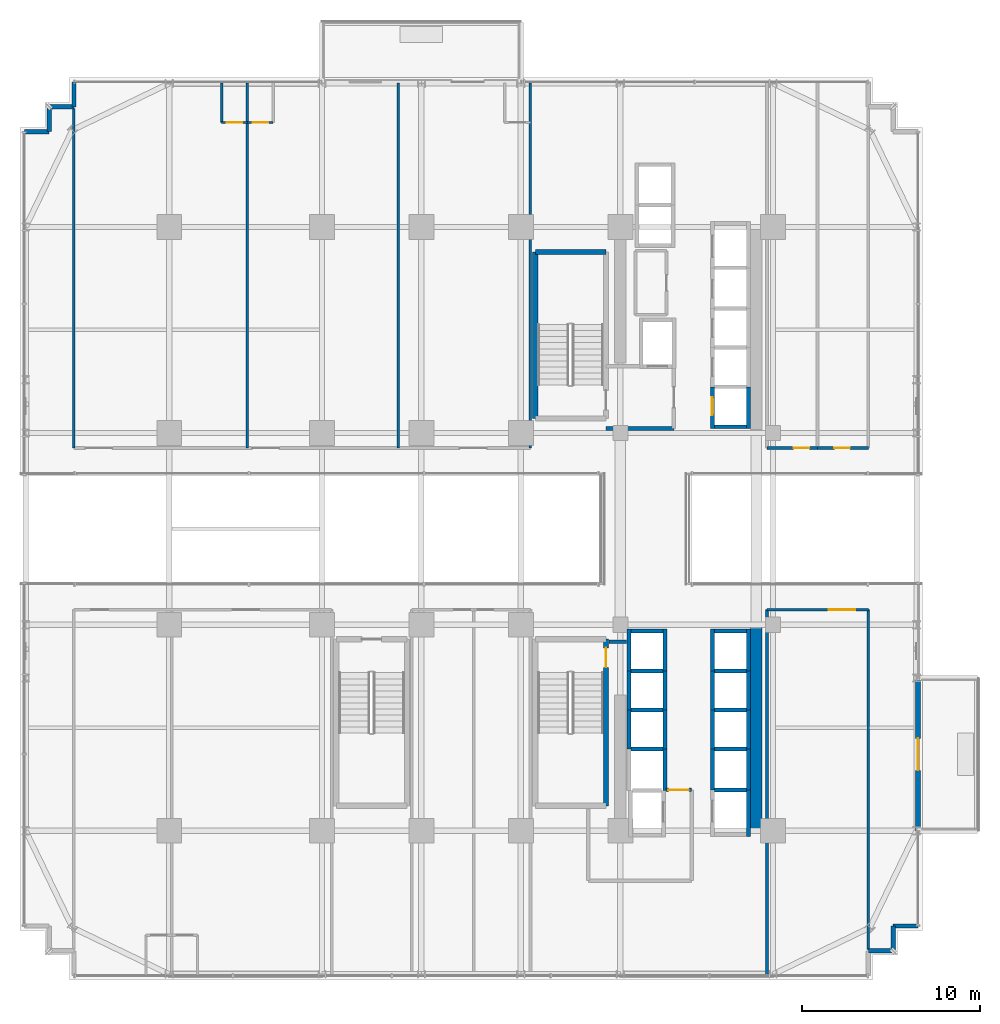
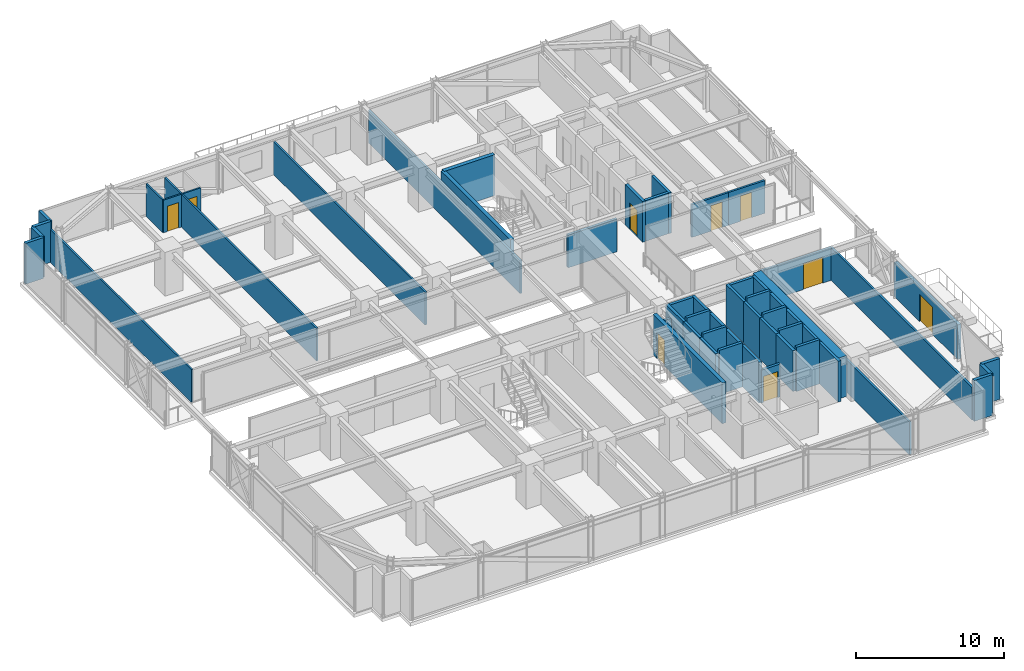
# One storey, part 41 of 47: 55 walls, 9 doors, 9 openings.
"""IFC4 building model written with IfcOpenShell, lengths in metres."""

from ifc_helpers import new_model, si_unit, direction, frame, frame_2d, origin, place, context, subcontext, project, spatial, rectangle, extrude, source, transform, mapped, material, layer, layer_set, type_object, element, fill, save


model = new_model("IFC4")

# Units and contexts
model_context = context("Model", 3, precision=1e-05, world=origin(), true_north=direction((0.0, 1.0)))
body_context = subcontext(model_context, "Body", "Model", "MODEL_VIEW")
ifc_project = project(units=[si_unit("LENGTHUNIT", "METRE"), si_unit("AREAUNIT", "SQUARE_METRE"), si_unit("VOLUMEUNIT", "CUBIC_METRE"), si_unit("PLANEANGLEUNIT", "RADIAN"), si_unit("MASSUNIT", "GRAM", prefix="KILO")], contexts=[model_context])

# Site, building, storey
site_placement = place(None, origin())
site = spatial("IfcSite", under=ifc_project, at=site_placement, CompositionType="ELEMENT")
building_placement = place(site_placement, origin())
building = spatial("IfcBuilding", under=site, at=building_placement, Name="Nahalor Promenade Grand Hotel", CompositionType="ELEMENT")
storey_placement = place(building_placement, frame((0.0, 0.0, 68.89990234375)))
storey = spatial("IfcBuildingStorey", under=building, at=storey_placement, Name="L16", CompositionType="ELEMENT", Elevation=68.89990234375)

# Walls
ifc_material_1 = material(Name="Concrete B-60 (C50/60)", Category="concrete")
ifc_layer_1 = layer(ifc_material_1, 0.64990234375)
ifc_layer_set_1 = layer_set([ifc_layer_1], Name="Concrete B-60 (C50/60)")
wall_type_1 = type_object("IfcWallType", Name="Wall-CoreShear-650", PredefinedType="SHEAR", material=ifc_layer_set_1)
shared_shape_1 = source(origin(), body_context, "Body", "SweptSolid", [
    extrude(rectangle(XDim=11.60009765625, YDim=0.64990234375, at=frame_2d((5.800048828125, 0.0))), origin(), (0.0, 0.0, 1.0), 3.3701171875),
])
wall_1_placement = place(storey_placement, frame((16.050048828125, -17.0, 0.0), z_axis=(0.0, 0.0, 1.0), x_axis=(0.0, 1.0, 0.0)))
element("IfcWall", 1, at=wall_1_placement, inside=storey, type_object=wall_type_1, Name="CWALL-L16-SE", PredefinedType="SHEAR", context=body_context, shape_type="MappedRepresentation", body=[
    mapped(shared_shape_1, transform((0.0, 0.0, 0.0), scale=1.0)),
])
ifc_material_2 = material(Name="Concrete B-50 (C40/50)", Category="concrete")
ifc_layer_2 = layer(ifc_material_2, 0.300048828125)
ifc_layer_set_2 = layer_set([ifc_layer_2], Name="Concrete B-50 (C40/50)")
wall_type_2 = type_object("IfcWallType", Name="Wall-ShaftShear-300", PredefinedType="SHEAR", material=ifc_layer_set_2)
shared_shape_2 = source(origin(), body_context, "Body", "SweptSolid", [
    extrude(rectangle(XDim=3.97998046875, YDim=0.300048828125, at=frame_2d((1.989990234375, 0.0))), origin(), (0.0, 0.0, 1.0), 3.3701171875),
])
wall_2_placement = place(storey_placement, frame((3.610107421875, 15.590087890625, 0.0), z_axis=(0.0, 0.0, 1.0), x_axis=(1.0, 0.0, 0.0)))
element("IfcWall", 2, at=wall_2_placement, inside=storey, type_object=wall_type_2, Name="L16 Exit Stair ST1 Shaft Wall N", PredefinedType="SHEAR", context=body_context, shape_type="MappedRepresentation", body=[
    mapped(shared_shape_2, transform((0.0, 0.0, 0.0), scale=1.0)),
])
shared_shape_3 = source(origin(), body_context, "Body", "SweptSolid", [
    extrude(rectangle(XDim=9.380126953125, YDim=0.300048828125, at=frame_2d((4.68994140625, 0.0))), origin(), (0.0, 0.0, 1.0), 3.3701171875),
])
wall_3_placement = place(storey_placement, frame((3.610107421875, 6.2099609375, 0.0), z_axis=(0.0, 0.0, 1.0), x_axis=(0.0, 1.0, 0.0)))
element("IfcWall", 3, at=wall_3_placement, inside=storey, type_object=wall_type_2, Name="L16 Exit Stair ST1 Shaft Wall W", PredefinedType="SHEAR", context=body_context, shape_type="MappedRepresentation", body=[
    mapped(shared_shape_3, transform((0.0, 0.0, 0.0), scale=1.0)),
])

# Wall, opening, door
wall_4_placement = place(storey_placement, frame((7.590087890625, -15.590087890625, 0.0), z_axis=(0.0, 0.0, 1.0), x_axis=(0.0, 1.0, 0.0)))
wall_4 = element("IfcWall", 4, at=wall_4_placement, inside=storey, type_object=wall_type_2, Name="L16 Exit Stair ST2 Shaft Wall E", PredefinedType="SHEAR", context=body_context, shape_type="MappedRepresentation", body=[
    mapped(shared_shape_3, transform((0.0, 0.0, 0.0), scale=1.0)),
])
opening_1_placement = place(wall_4_placement, frame((7.7900390625, 0.0, 0.0)))
opening_1 = element("IfcOpeningElement", 5, at=opening_1_placement, cuts=wall_4, Name="Opening D-ST1", PredefinedType="OPENING", context=body_context, shape_type="SweptSolid", body=[
    extrude(rectangle(XDim=1.10009765625, YDim=2.14990234375, at=frame_2d((0.550048828125, 1.074951171875))), frame((0.0, 0.159912109375, 0.0), z_axis=(0.0, -1.0, 0.0), x_axis=(1.0, 0.0, 0.0)), (0.0, 0.0, 1.0), 0.320068359375),
])
ifc_material_3 = material(Name="Steel S355JR", Category="steel")
door_type_1 = type_object("IfcDoorType", Name="Door-StairFire-1100", OperationType="NOTDEFINED", PredefinedType="DOOR", material=ifc_material_3)
shared_shape_4 = source(origin(), body_context, "Body", "SweptSolid", [
    extrude(rectangle(XDim=1.10009765625, YDim=2.14990234375, at=frame_2d((0.550048828125, 1.074951171875))), frame((0.0, 0.02490234375, 0.0), z_axis=(0.0, -1.0, 0.0), x_axis=(1.0, 0.0, 0.0)), (0.0, 0.0, 1.0), 0.050048828125),
])
door_1_placement = place(opening_1_placement, origin())
door_1 = element("IfcDoor", 6, at=door_1_placement, inside=storey, type_object=door_type_1, Name="DR-STAIR-ST2-L16", OperationType="SINGLE_SWING_LEFT", OverallHeight=2.14990234375, OverallWidth=1.10009765625, PredefinedType="DOOR", context=body_context, shape_type="MappedRepresentation", body=[
    mapped(shared_shape_4, transform((0.0, 0.0, 0.0), scale=1.0)),
])
fill(opening_1, door_1)

ifc_layer_3 = layer(ifc_material_2, 0.219970703125)
ifc_layer_set_3 = layer_set([ifc_layer_3], Name="Concrete B-50 (C40/50)")
wall_type_3 = type_object("IfcWallType", Name="Wall-LiftShaft-220", PredefinedType="SHEAR", material=ifc_layer_set_3)
shared_shape_5 = source(origin(), body_context, "Body", "SweptSolid", [
    extrude(rectangle(XDim=2.360107421875, YDim=0.219970703125, at=frame_2d((1.18017578125, 0.0))), origin(), (0.0, 0.0, 1.0), 3.3701171875),
])
wall_5_placement = place(storey_placement, frame((13.580078125, 5.639892578125, 0.0), z_axis=(0.0, 0.0, 1.0), x_axis=(0.0, 1.0, 0.0)))
wall_5 = element("IfcWall", 7, at=wall_5_placement, inside=storey, type_object=wall_type_3, Name="L16 Lift PL1 Hoistway Wall W", PredefinedType="SHEAR", context=body_context, shape_type="MappedRepresentation", body=[
    mapped(shared_shape_5, transform((0.0, 0.0, 0.0), scale=1.0)),
])
opening_2_placement = place(wall_5_placement, frame((0.760009765625, 0.0, 0.0)))
opening_2 = element("IfcOpeningElement", 8, at=opening_2_placement, cuts=wall_5, Name="Opening LD-01", PredefinedType="OPENING", context=body_context, shape_type="SweptSolid", body=[
    extrude(rectangle(XDim=1.0, YDim=2.199951171875, at=frame_2d((0.5, 1.10009765625))), frame((0.0, 0.119873046875, 0.0), z_axis=(0.0, -1.0, 0.0), x_axis=(1.0, 0.0, 0.0)), (0.0, 0.0, 1.0), 0.239990234375),
])
door_type_2 = type_object("IfcDoorType", Name="Door-LiftLanding-1000", OperationType="DOUBLE_DOOR_SLIDING", PredefinedType="DOOR", material=ifc_material_3)
shared_shape_6 = source(origin(), body_context, "Body", "SweptSolid", [
    extrude(rectangle(XDim=1.0, YDim=2.199951171875, at=frame_2d((0.5, 1.10009765625))), frame((0.0, 0.02490234375, 0.0), z_axis=(0.0, -1.0, 0.0), x_axis=(1.0, 0.0, 0.0)), (0.0, 0.0, 1.0), 0.050048828125),
])
door_2_placement = place(opening_2_placement, origin())
door_2 = element("IfcDoor", 9, at=door_2_placement, inside=storey, type_object=door_type_2, Name="DR-LIFT-PL1-L16", OperationType="DOUBLE_DOOR_SLIDING", OverallHeight=2.199951171875, OverallWidth=1.0, PredefinedType="DOOR", context=body_context, shape_type="MappedRepresentation", body=[
    mapped(shared_shape_6, transform((0.0, 0.0, 0.0), scale=1.0)),
])
fill(opening_2, door_2)

# Walls
for number, where, z_axis, x_axis, name in (
    (10, (15.6201171875, 5.639892578125, 0.0), (0.0, 0.0, 1.0), (0.0, 1.0, 0.0), "L16 Lift PL1 Hoistway Wall E"),
    (11, (13.580078125, -8.0, 0.0), (0.0, 0.0, 1.0), (0.0, 1.0, 0.0), "L16 Lift PL5 Hoistway Wall W"),
    (12, (15.6201171875, -8.0, 0.0), (0.0, 0.0, 1.0), (0.0, 1.0, 0.0), "L16 Lift PL5 Hoistway Wall E"),
    (13, (8.8798828125, -8.0, 0.0), (0.0, 0.0, 1.0), (0.0, 1.0, 0.0), "L16 Lift PL9 Hoistway Wall W"),
    (14, (10.919921875, -8.0, 0.0), (0.0, 0.0, 1.0), (0.0, 1.0, 0.0), "L16 Lift PL9 Hoistway Wall E"),
):
    element("IfcWall", number, at=place(storey_placement, frame(where, z_axis=z_axis, x_axis=x_axis)), inside=storey, type_object=wall_type_3, Name=name, PredefinedType="SHEAR", context=body_context, shape_type="MappedRepresentation", body=[
        mapped(shared_shape_5, transform((0.0, 0.0, 0.0), scale=1.0)),
    ])
shared_shape_7 = source(origin(), body_context, "Body", "SweptSolid", [
    extrude(rectangle(XDim=1.820068359375, YDim=0.219970703125, at=frame_2d((0.91015625, 0.0))), origin(), (0.0, 0.0, 1.0), 3.3701171875),
])
for number, where, z_axis, x_axis, name in (
    (15, (13.68994140625, 5.75, 0.0), (0.0, 0.0, 1.0), (1.0, 0.0, 0.0), "L16 Lift PL1 Hoistway Wall S"),
    (16, (13.68994140625, -5.75, 0.0), (0.0, 0.0, 1.0), (1.0, 0.0, 0.0), "L16 Lift PL5 Hoistway Wall N"),
    (17, (8.989990234375, -5.75, 0.0), (0.0, 0.0, 1.0), (1.0, 0.0, 0.0), "L16 Lift PL9 Hoistway Wall N"),
):
    element("IfcWall", number, at=place(storey_placement, frame(where, z_axis=z_axis, x_axis=x_axis)), inside=storey, type_object=wall_type_3, Name=name, PredefinedType="SHEAR", context=body_context, shape_type="MappedRepresentation", body=[
        mapped(shared_shape_7, transform((0.0, 0.0, 0.0), scale=1.0)),
    ])
shared_shape_8 = source(origin(), body_context, "Body", "SweptSolid", [
    extrude(rectangle(XDim=1.820068359375, YDim=0.219970703125, at=frame_2d((0.91015625, 0.0))), origin(), (0.0, 0.0, 1.0), 3.650146484375),
])
for number, where, z_axis, x_axis, name in (
    (18, (13.68994140625, -8.0, 0.0), (0.0, 0.0, 1.0), (1.0, 0.0, 0.0), "L16 Lift PL6 Hoistway Wall N"),
    (19, (13.68994140625, -10.199951171875, 0.0), (0.0, 0.0, 1.0), (1.0, 0.0, 0.0), "L16 Lift PL7 Hoistway Wall N"),
    (20, (13.68994140625, -12.39990234375, 0.0), (0.0, 0.0, 1.0), (1.0, 0.0, 0.0), "L16 Lift PL8 Hoistway Wall N"),
    (21, (8.989990234375, -8.0, 0.0), (0.0, 0.0, 1.0), (1.0, 0.0, 0.0), "L16 Lift PL10 Hoistway Wall N"),
    (22, (8.989990234375, -10.199951171875, 0.0), (0.0, 0.0, 1.0), (1.0, 0.0, 0.0), "L16 Lift PL11 Hoistway Wall N"),
    (23, (8.989990234375, -12.39990234375, 0.0), (0.0, 0.0, 1.0), (1.0, 0.0, 0.0), "L16 Lift PL12 Hoistway Wall N"),
    (24, (13.68994140625, -14.699951171875, 0.0), (0.0, 0.0, 1.0), (1.0, 0.0, 0.0), "L16 Lift SV2 Hoistway Wall N"),
):
    element("IfcWall", number, at=place(storey_placement, frame(where, z_axis=z_axis, x_axis=x_axis)), inside=storey, type_object=wall_type_3, Name=name, PredefinedType="SHEAR", context=body_context, shape_type="MappedRepresentation", body=[
        mapped(shared_shape_8, transform((0.0, 0.0, 0.0), scale=1.0)),
    ])
shared_shape_9 = source(origin(), body_context, "Body", "SweptSolid", [
    extrude(rectangle(XDim=2.199951171875, YDim=0.219970703125, at=frame_2d((1.10009765625, 0.0))), origin(), (0.0, 0.0, 1.0), 3.3701171875),
])
for number, where, z_axis, x_axis, name in (
    (25, (13.580078125, -10.199951171875, 0.0), (0.0, 0.0, 1.0), (0.0, 1.0, 0.0), "L16 Lift PL6 Hoistway Wall W"),
    (26, (15.6201171875, -10.199951171875, 0.0), (0.0, 0.0, 1.0), (0.0, 1.0, 0.0), "L16 Lift PL6 Hoistway Wall E"),
    (27, (13.580078125, -12.39990234375, 0.0), (0.0, 0.0, 1.0), (0.0, 1.0, 0.0), "L16 Lift PL7 Hoistway Wall W"),
    (28, (15.6201171875, -12.39990234375, 0.0), (0.0, 0.0, 1.0), (0.0, 1.0, 0.0), "L16 Lift PL7 Hoistway Wall E"),
    (29, (8.8798828125, -10.199951171875, 0.0), (0.0, 0.0, 1.0), (0.0, 1.0, 0.0), "L16 Lift PL10 Hoistway Wall W"),
    (30, (10.919921875, -10.199951171875, 0.0), (0.0, 0.0, 1.0), (0.0, 1.0, 0.0), "L16 Lift PL10 Hoistway Wall E"),
    (31, (8.8798828125, -12.39990234375, 0.0), (0.0, 0.0, 1.0), (0.0, 1.0, 0.0), "L16 Lift PL11 Hoistway Wall W"),
    (32, (10.919921875, -12.39990234375, 0.0), (0.0, 0.0, 1.0), (0.0, 1.0, 0.0), "L16 Lift PL11 Hoistway Wall E"),
):
    element("IfcWall", number, at=place(storey_placement, frame(where, z_axis=z_axis, x_axis=x_axis)), inside=storey, type_object=wall_type_3, Name=name, PredefinedType="SHEAR", context=body_context, shape_type="MappedRepresentation", body=[
        mapped(shared_shape_9, transform((0.0, 0.0, 0.0), scale=1.0)),
    ])
shared_shape_10 = source(origin(), body_context, "Body", "SweptSolid", [
    extrude(rectangle(XDim=2.300048828125, YDim=0.219970703125, at=frame_2d((1.14990234375, 0.0))), origin(), (0.0, 0.0, 1.0), 3.3701171875),
])
for number, where, z_axis, x_axis, name in (
    (33, (13.580078125, -14.699951171875, 0.0), (0.0, 0.0, 1.0), (0.0, 1.0, 0.0), "L16 Lift PL8 Hoistway Wall W"),
    (34, (15.6201171875, -14.699951171875, 0.0), (0.0, 0.0, 1.0), (0.0, 1.0, 0.0), "L16 Lift PL8 Hoistway Wall E"),
):
    element("IfcWall", number, at=place(storey_placement, frame(where, z_axis=z_axis, x_axis=x_axis)), inside=storey, type_object=wall_type_3, Name=name, PredefinedType="SHEAR", context=body_context, shape_type="MappedRepresentation", body=[
        mapped(shared_shape_10, transform((0.0, 0.0, 0.0), scale=1.0)),
    ])
shared_shape_11 = source(origin(), body_context, "Body", "SweptSolid", [
    extrude(rectangle(XDim=2.3251953125, YDim=0.219970703125, at=frame_2d((1.16259765625, 0.0))), origin(), (0.0, 0.0, 1.0), 3.3701171875),
])
wall_6_placement = place(storey_placement, frame((10.919921875, -14.72509765625, 0.0), z_axis=(0.0, 0.0, 1.0), x_axis=(0.0, 1.0, 0.0)))
element("IfcWall", 35, at=wall_6_placement, inside=storey, type_object=wall_type_3, Name="L16 Lift PL12 Hoistway Wall E", PredefinedType="SHEAR", context=body_context, shape_type="MappedRepresentation", body=[
    mapped(shared_shape_11, transform((0.0, 0.0, 0.0), scale=1.0)),
])
shared_shape_12 = source(origin(), body_context, "Body", "SweptSolid", [
    extrude(rectangle(XDim=2.610107421875, YDim=0.219970703125, at=frame_2d((1.30517578125, 0.0))), origin(), (0.0, 0.0, 1.0), 3.3701171875),
])
wall_7_placement = place(storey_placement, frame((15.6201171875, -17.31005859375, 0.0), z_axis=(0.0, 0.0, 1.0), x_axis=(0.0, 1.0, 0.0)))
element("IfcWall", 36, at=wall_7_placement, inside=storey, type_object=wall_type_3, Name="L16 Lift SV2 Hoistway Wall E", PredefinedType="SHEAR", context=body_context, shape_type="MappedRepresentation", body=[
    mapped(shared_shape_12, transform((0.0, 0.0, 0.0), scale=1.0)),
])
ifc_material_4 = material(Name="Concrete B-40 (C32/40)", Category="concrete")
ifc_layer_4 = layer(ifc_material_4, 0.25)
ifc_layer_set_4 = layer_set([ifc_layer_4], Name="Concrete B-40 (C32/40)")
wall_type_4 = type_object("IfcWallType", Name="Wall-BronzePier-250", PredefinedType="STANDARD", material=ifc_layer_set_4)
shared_shape_13 = source(origin(), body_context, "Body", "SweptSolid", [
    extrude(rectangle(XDim=1.39990234375, YDim=0.25, at=frame_2d((0.699951171875, 0.0))), origin(), (0.0, 0.0, 1.0), 3.3701171875),
])
for number, where, z_axis, x_axis, name in (
    (37, (22.360107421875, -23.760009765625, 0.0), (0.0, 0.0, 1.0), (1.0, 0.0, 0.0), "W-L16-SR-02"),
    (38, (23.760009765625, -23.760009765625, 0.0), (0.0, 0.0, 1.0), (0.0, 1.0, 0.0), "W-L16-SR-03"),
    (39, (23.760009765625, -22.360107421875, 0.0), (0.0, 0.0, 1.0), (1.0, 0.0, 0.0), "W-L16-SR-04"),
    (40, (-22.360107421875, 23.760009765625, 0.0), (0.0, 0.0, 1.0), (0.0, 1.0, 0.0), "W-L16-SR-09"),
    (41, (-23.760009765625, 23.760009765625, 0.0), (0.0, 0.0, 1.0), (1.0, 0.0, 0.0), "W-L16-SR-10"),
    (42, (-23.760009765625, 22.360107421875, 0.0), (0.0, 0.0, 1.0), (0.0, 1.0, 0.0), "W-L16-SR-11"),
    (43, (-25.159912109375, 22.360107421875, 0.0), (0.0, 0.0, 1.0), (1.0, 0.0, 0.0), "W-L16-SR-12"),
):
    element("IfcWall", number, at=place(storey_placement, frame(where, z_axis=z_axis, x_axis=x_axis)), inside=storey, type_object=wall_type_4, Name=name, PredefinedType="STANDARD", context=body_context, shape_type="MappedRepresentation", body=[
        mapped(shared_shape_13, transform((0.0, 0.0, 0.0), scale=1.0)),
    ])

# Wall, opening, door
ifc_layer_5 = layer(ifc_material_4, 0.260009765625)
ifc_layer_set_5 = layer_set([ifc_layer_5], Name="Concrete B-40 (C32/40)")
wall_type_5 = type_object("IfcWallType", Name="Wall-BalconyWall-260", PredefinedType="STANDARD", material=ifc_layer_set_5)
shared_shape_14 = source(origin(), body_context, "Body", "SweptSolid", [
    extrude(rectangle(XDim=8.60009765625, YDim=0.260009765625, at=frame_2d((4.300048828125, 0.0))), origin(), (0.0, 0.0, 1.0), 2.85009765625),
])
wall_8_placement = place(storey_placement, frame((25.159912109375, -17.0, 0.0), z_axis=(0.0, 0.0, 1.0), x_axis=(0.0, 1.0, 0.0)))
wall_8 = element("IfcWall", 44, at=wall_8_placement, inside=storey, type_object=wall_type_5, Name="W-L16-BALC-E-2", PredefinedType="STANDARD", context=body_context, shape_type="MappedRepresentation", body=[
    mapped(shared_shape_14, transform((0.0, 0.0, 0.0), scale=1.0)),
])
opening_3_placement = place(wall_8_placement, frame((3.39990234375, 0.0, 0.0)))
opening_3 = element("IfcOpeningElement", 45, at=opening_3_placement, cuts=wall_8, Name="Opening D-BC1", PredefinedType="OPENING", context=body_context, shape_type="SweptSolid", body=[
    extrude(rectangle(XDim=1.800048828125, YDim=2.25, at=frame_2d((0.89990234375, 1.125))), frame((0.0, 0.139892578125, 0.0), z_axis=(0.0, -1.0, 0.0), x_axis=(1.0, 0.0, 0.0)), (0.0, 0.0, 1.0), 0.280029296875),
])
ifc_material_5 = material(Name="Anodised Bronze Aluminium EN AW-6063 T6", Category="aluminium")
door_type_3 = type_object("IfcDoorType", Name="Door-BalconySlide-1800", OperationType="DOUBLE_DOOR_SLIDING", PredefinedType="DOOR", material=ifc_material_5)
shared_shape_15 = source(origin(), body_context, "Body", "SweptSolid", [
    extrude(rectangle(XDim=1.800048828125, YDim=2.25, at=frame_2d((0.89990234375, 1.125))), frame((0.0, 0.02490234375, 0.0), z_axis=(0.0, -1.0, 0.0), x_axis=(1.0, 0.0, 0.0)), (0.0, 0.0, 1.0), 0.050048828125),
])
door_3_placement = place(opening_3_placement, frame((1.800048828125, 0.0, 0.0), z_axis=(0.0, 0.0, 1.0), x_axis=(-1.0, 0.0, 0.0)))
door_3 = element("IfcDoor", 46, at=door_3_placement, inside=storey, type_object=door_type_3, Name="DR-L16-BALC-E-2", OperationType="DOUBLE_DOOR_SLIDING", OverallHeight=2.25, OverallWidth=1.800048828125, PredefinedType="DOOR", context=body_context, shape_type="MappedRepresentation", body=[
    mapped(shared_shape_15, transform((0.0, 0.0, 0.0), scale=1.0)),
])
fill(opening_3, door_3)

# Wall
ifc_layer_6 = layer(ifc_material_4, 0.199951171875)
ifc_layer_set_6 = layer_set([ifc_layer_6], Name="Concrete B-40 (C32/40)")
wall_type_6 = type_object("IfcWallType", Name="Wall-PartFire-200", PredefinedType="PARTITIONING", material=ifc_layer_set_6)
shared_shape_16 = source(origin(), body_context, "Body", "SweptSolid", [
    extrude(rectangle(XDim=3.81982421875, YDim=0.199951171875, at=frame_2d((1.909912109375, 0.0))), origin(), (0.0, 0.0, 1.0), 2.710205078125),
])
wall_9_placement = place(storey_placement, frame((7.60009765625, 5.64990234375, 0.0), z_axis=(0.0, 0.0, 1.0), x_axis=(1.0, 0.0, 0.0)))
element("IfcWall", 47, at=wall_9_placement, inside=storey, type_object=wall_type_6, Name="W-L16-FF1-S", PredefinedType="PARTITIONING", context=body_context, shape_type="MappedRepresentation", body=[
    mapped(shared_shape_16, transform((0.0, 0.0, 0.0), scale=1.0)),
])

# Wall, opening, door
shared_shape_17 = source(origin(), body_context, "Body", "SweptSolid", [
    extrude(rectangle(XDim=1.4599609375, YDim=0.199951171875, at=frame_2d((0.72998046875, 0.0))), origin(), (0.0, 0.0, 1.0), 2.710205078125),
])
wall_10_placement = place(storey_placement, frame((10.9599609375, -14.699951171875, 0.0), z_axis=(0.0, 0.0, 1.0), x_axis=(1.0, 0.0, 0.0)))
wall_10 = element("IfcWall", 48, at=wall_10_placement, inside=storey, type_object=wall_type_6, Name="W-L16-FF2-N1", PredefinedType="PARTITIONING", context=body_context, shape_type="MappedRepresentation", body=[
    mapped(shared_shape_17, transform((0.0, 0.0, 0.0), scale=1.0)),
])
opening_4_placement = place(wall_10_placement, frame((0.14501953125, 0.0, 0.0)))
opening_4 = element("IfcOpeningElement", 49, at=opening_4_placement, cuts=wall_10, Name="Opening D-FF1", PredefinedType="OPENING", context=body_context, shape_type="SweptSolid", body=[
    extrude(rectangle(XDim=1.14990234375, YDim=2.14990234375, at=frame_2d((0.574951171875, 1.074951171875))), frame((0.0, 0.10986328125, 0.0), z_axis=(0.0, -1.0, 0.0), x_axis=(1.0, 0.0, 0.0)), (0.0, 0.0, 1.0), 0.219970703125),
])
door_type_4 = type_object("IfcDoorType", Name="Door-FFLobby-1150", OperationType="NOTDEFINED", PredefinedType="DOOR", material=ifc_material_3)
shared_shape_18 = source(origin(), body_context, "Body", "SweptSolid", [
    extrude(rectangle(XDim=1.14990234375, YDim=2.14990234375, at=frame_2d((0.574951171875, 1.074951171875))), frame((0.0, 0.02490234375, 0.0), z_axis=(0.0, -1.0, 0.0), x_axis=(1.0, 0.0, 0.0)), (0.0, 0.0, 1.0), 0.050048828125),
])
door_4_placement = place(opening_4_placement, origin())
door_4 = element("IfcDoor", 50, at=door_4_placement, inside=storey, type_object=door_type_4, Name="DR-L16-FFL2", OperationType="SINGLE_SWING_RIGHT", OverallHeight=2.14990234375, OverallWidth=1.14990234375, PredefinedType="DOOR", context=body_context, shape_type="MappedRepresentation", body=[
    mapped(shared_shape_18, transform((0.0, 0.0, 0.0), scale=1.0)),
])
fill(opening_4, door_4)

# Wall
shared_shape_19 = source(origin(), body_context, "Body", "SweptSolid", [
    extrude(rectangle(XDim=0.969970703125, YDim=0.199951171875, at=frame_2d((0.48486328125, 0.0))), origin(), (0.0, 0.0, 1.0), 2.710205078125),
])
wall_11_placement = place(storey_placement, frame((7.77001953125, -6.35009765625, 0.0), z_axis=(0.0, 0.0, 1.0), x_axis=(1.0, 0.0, 0.0)))
element("IfcWall", 51, at=wall_11_placement, inside=storey, type_object=wall_type_6, Name="W-L16-FF2-N2", PredefinedType="PARTITIONING", context=body_context, shape_type="MappedRepresentation", body=[
    mapped(shared_shape_19, transform((0.0, 0.0, 0.0), scale=1.0)),
])

# Wall, opening, door
ifc_material_6 = material(Name="Acoustic Mineral Gypsum", Category="gypsum")
ifc_layer_7 = layer(ifc_material_6, 0.159912109375)
ifc_layer_set_7 = layer_set([ifc_layer_7], Name="Acoustic Mineral Gypsum")
wall_type_7 = type_object("IfcWallType", Name="Wall-PartCorridor-160", PredefinedType="PARTITIONING", material=ifc_layer_set_7)
shared_shape_20 = source(origin(), body_context, "Body", "SweptSolid", [
    extrude(rectangle(XDim=5.710205078125, YDim=0.159912109375, at=frame_2d((2.85498046875, 0.0))), origin(), (0.0, 0.0, 1.0), 2.710205078125),
])
wall_12_placement = place(storey_placement, frame((16.64990234375, -4.550048828125, 0.0), z_axis=(0.0, 0.0, 1.0), x_axis=(1.0, 0.0, 0.0)))
wall_12 = element("IfcWall", 52, at=wall_12_placement, inside=storey, type_object=wall_type_7, Name="W-L16-ESE-N", PredefinedType="PARTITIONING", context=body_context, shape_type="MappedRepresentation", body=[
    mapped(shared_shape_20, transform((0.0, 0.0, 0.0), scale=1.0)),
])
opening_5_placement = place(wall_12_placement, frame((3.47900390625, 0.0, 0.0)))
opening_5 = element("IfcOpeningElement", 53, at=opening_5_placement, cuts=wall_12, Name="Opening D-02", PredefinedType="OPENING", context=body_context, shape_type="SweptSolid", body=[
    extrude(rectangle(XDim=1.5, YDim=2.14990234375, at=frame_2d((0.75, 1.074951171875))), frame((0.0, 0.08984375, 0.0), z_axis=(0.0, -1.0, 0.0), x_axis=(1.0, 0.0, 0.0)), (0.0, 0.0, 1.0), 0.179931640625),
])
ifc_material_7 = material(Name="Fire-Rated Timber Composite", Category="wood")
door_type_5 = type_object("IfcDoorType", Name="Door-SuiteDouble-1500", OperationType="DOUBLE_DOOR_SINGLE_SWING", PredefinedType="DOOR", material=ifc_material_7)
shared_shape_21 = source(origin(), body_context, "Body", "SweptSolid", [
    extrude(rectangle(XDim=1.5, YDim=2.14990234375, at=frame_2d((0.75, 1.074951171875))), frame((0.0, 0.02490234375, 0.0), z_axis=(0.0, -1.0, 0.0), x_axis=(1.0, 0.0, 0.0)), (0.0, 0.0, 1.0), 0.050048828125),
])
door_5_placement = place(opening_5_placement, frame((1.5, 0.0, 0.0), z_axis=(0.0, 0.0, 1.0), x_axis=(-1.0, 0.0, 0.0)))
door_5 = element("IfcDoor", 54, at=door_5_placement, inside=storey, type_object=door_type_5, Name="DR-L16-ESE", OperationType="DOUBLE_DOOR_SINGLE_SWING", OverallHeight=2.14990234375, OverallWidth=1.5, PredefinedType="DOOR", context=body_context, shape_type="MappedRepresentation", body=[
    mapped(shared_shape_21, transform((0.0, 0.0, 0.0), scale=1.0)),
])
fill(opening_5, door_5)

# Walls
shared_shape_22 = source(origin(), body_context, "Body", "SweptSolid", [
    extrude(rectangle(XDim=20.550048828125, YDim=0.159912109375, at=frame_2d((10.27490234375, 0.0))), origin(), (0.0, 0.0, 1.0), 2.710205078125),
])
wall_13_placement = place(storey_placement, frame((16.64990234375, -25.10009765625, 0.0), z_axis=(0.0, 0.0, 1.0), x_axis=(0.0, 1.0, 0.0)))
element("IfcWall", 55, at=wall_13_placement, inside=storey, type_object=wall_type_7, Name="W-L16-ESE-W", PredefinedType="PARTITIONING", context=body_context, shape_type="MappedRepresentation", body=[
    mapped(shared_shape_22, transform((0.0, 0.0, 0.0), scale=1.0)),
])
shared_shape_23 = source(origin(), body_context, "Body", "SweptSolid", [
    extrude(rectangle(XDim=19.1298828125, YDim=0.159912109375, at=frame_2d((9.56494140625, 0.0))), origin(), (0.0, 0.0, 1.0), 2.710205078125),
])
wall_14_placement = place(storey_placement, frame((22.360107421875, -23.679931640625, 0.0), z_axis=(0.0, 0.0, 1.0), x_axis=(0.0, 1.0, 0.0)))
element("IfcWall", 56, at=wall_14_placement, inside=storey, type_object=wall_type_7, Name="W-L16-ESE-E", PredefinedType="PARTITIONING", context=body_context, shape_type="MappedRepresentation", body=[
    mapped(shared_shape_23, transform((0.0, 0.0, 0.0), scale=1.0)),
])
ifc_layer_8 = layer(ifc_material_6, 0.139892578125)
ifc_layer_set_8 = layer_set([ifc_layer_8], Name="Acoustic Mineral Gypsum")
wall_type_8 = type_object("IfcWallType", Name="Wall-PartSuite-140", PredefinedType="PARTITIONING", material=ifc_layer_set_8)
shared_shape_24 = source(origin(), body_context, "Body", "SweptSolid", [
    extrude(rectangle(XDim=19.1298828125, YDim=0.139892578125, at=frame_2d((9.56494140625, 0.0))), origin(), (0.0, 0.0, 1.0), 2.710205078125),
])
wall_15_placement = place(storey_placement, frame((-22.360107421875, 4.550048828125, 0.0), z_axis=(0.0, 0.0, 1.0), x_axis=(0.0, 1.0, 0.0)))
element("IfcWall", 57, at=wall_15_placement, inside=storey, type_object=wall_type_8, Name="W-L16-NW-ENDW", PredefinedType="PARTITIONING", context=body_context, shape_type="MappedRepresentation", body=[
    mapped(shared_shape_24, transform((0.0, 0.0, 0.0), scale=1.0)),
])
shared_shape_25 = source(origin(), body_context, "Body", "SweptSolid", [
    extrude(rectangle(XDim=20.550048828125, YDim=0.139892578125, at=frame_2d((10.27490234375, 0.0))), origin(), (0.0, 0.0, 1.0), 2.710205078125),
])
for number, where, z_axis, x_axis, name in (
    (58, (3.340087890625, 4.550048828125, 0.0), (0.0, 0.0, 1.0), (0.0, 1.0, 0.0), "W-L16-NW-ENDE"),
    (59, (-12.593994140625, 4.550048828125, 0.0), (0.0, 0.0, 1.0), (0.0, 1.0, 0.0), "W-L16-NP-1"),
    (60, (-4.092041015625, 4.550048828125, 0.0), (0.0, 0.0, 1.0), (0.0, 1.0, 0.0), "W-L16-NP-2"),
):
    element("IfcWall", number, at=place(storey_placement, frame(where, z_axis=z_axis, x_axis=x_axis)), inside=storey, type_object=wall_type_8, Name=name, PredefinedType="PARTITIONING", context=body_context, shape_type="MappedRepresentation", body=[
        mapped(shared_shape_25, transform((0.0, 0.0, 0.0), scale=1.0)),
    ])

# Wall, opening, door
ifc_layer_9 = layer(ifc_material_6, 0.1201171875)
ifc_layer_set_9 = layer_set([ifc_layer_9], Name="Acoustic Mineral Gypsum")
wall_type_9 = type_object("IfcWallType", Name="Wall-PartBath-120", PredefinedType="PARTITIONING", material=ifc_layer_set_9)
shared_shape_26 = source(origin(), body_context, "Body", "SweptSolid", [
    extrude(rectangle(XDim=1.449951171875, YDim=0.1201171875, at=frame_2d((0.72509765625, 0.0))), origin(), (0.0, 0.0, 1.0), 2.710205078125),
])
wall_16_placement = place(storey_placement, frame((-14.0439453125, 22.8798828125, 0.0), z_axis=(0.0, 0.0, 1.0), x_axis=(1.0, 0.0, 0.0)))
wall_16 = element("IfcWall", 61, at=wall_16_placement, inside=storey, type_object=wall_type_9, Name="W-L16-N1-BH", PredefinedType="PARTITIONING", context=body_context, shape_type="MappedRepresentation", body=[
    mapped(shared_shape_26, transform((0.0, 0.0, 0.0), scale=1.0)),
])
opening_6_placement = place(wall_16_placement, frame((0.284912109375, 0.0, 0.0)))
opening_6 = element("IfcOpeningElement", 62, at=opening_6_placement, cuts=wall_16, Name="Opening D-03", PredefinedType="OPENING", context=body_context, shape_type="SweptSolid", body=[
    extrude(rectangle(XDim=0.8798828125, YDim=2.10009765625, at=frame_2d((0.43994140625, 1.050048828125))), frame((0.0, 0.070068359375, 0.0), z_axis=(0.0, -1.0, 0.0), x_axis=(1.0, 0.0, 0.0)), (0.0, 0.0, 1.0), 0.14013671875),
])
door_type_6 = type_object("IfcDoorType", Name="Door-BathSwing-880", OperationType="NOTDEFINED", PredefinedType="DOOR", material=ifc_material_7)
shared_shape_27 = source(origin(), body_context, "Body", "SweptSolid", [
    extrude(rectangle(XDim=0.8798828125, YDim=2.10009765625, at=frame_2d((0.43994140625, 1.050048828125))), frame((0.0, 0.02490234375, 0.0), z_axis=(0.0, -1.0, 0.0), x_axis=(1.0, 0.0, 0.0)), (0.0, 0.0, 1.0), 0.050048828125),
])
door_6_placement = place(opening_6_placement, origin())
door_6 = element("IfcDoor", 63, at=door_6_placement, inside=storey, type_object=door_type_6, Name="DR-L16-N1-BATH", OperationType="SINGLE_SWING_RIGHT", OverallHeight=2.10009765625, OverallWidth=0.8798828125, PredefinedType="DOOR", context=body_context, shape_type="MappedRepresentation", body=[
    mapped(shared_shape_27, transform((0.0, 0.0, 0.0), scale=1.0)),
])
fill(opening_6, door_6)

wall_17_placement = place(storey_placement, frame((-12.593994140625, 22.8798828125, 0.0), z_axis=(0.0, 0.0, 1.0), x_axis=(1.0, 0.0, 0.0)))
wall_17 = element("IfcWall", 64, at=wall_17_placement, inside=storey, type_object=wall_type_9, Name="W-L16-N2-BH", PredefinedType="PARTITIONING", context=body_context, shape_type="MappedRepresentation", body=[
    mapped(shared_shape_26, transform((0.0, 0.0, 0.0), scale=1.0)),
])
opening_7_placement = place(wall_17_placement, frame((0.284912109375, 0.0, 0.0)))
opening_7 = element("IfcOpeningElement", 65, at=opening_7_placement, cuts=wall_17, Name="Opening D-03", PredefinedType="OPENING", context=body_context, shape_type="SweptSolid", body=[
    extrude(rectangle(XDim=0.8798828125, YDim=2.10009765625, at=frame_2d((0.43994140625, 1.050048828125))), frame((0.0, 0.070068359375, 0.0), z_axis=(0.0, -1.0, 0.0), x_axis=(1.0, 0.0, 0.0)), (0.0, 0.0, 1.0), 0.14013671875),
])
door_7_placement = place(opening_7_placement, origin())
door_7 = element("IfcDoor", 66, at=door_7_placement, inside=storey, type_object=door_type_6, Name="DR-L16-N2-BATH", OperationType="SINGLE_SWING_LEFT", OverallHeight=2.10009765625, OverallWidth=0.8798828125, PredefinedType="DOOR", context=body_context, shape_type="MappedRepresentation", body=[
    mapped(shared_shape_27, transform((0.0, 0.0, 0.0), scale=1.0)),
])
fill(opening_7, door_7)

# Wall
shared_shape_28 = source(origin(), body_context, "Body", "SweptSolid", [
    extrude(rectangle(XDim=2.22021484375, YDim=0.1201171875, at=frame_2d((1.110107421875, 0.0))), origin(), (0.0, 0.0, 1.0), 2.710205078125),
])
wall_18_placement = place(storey_placement, frame((-14.0439453125, 22.8798828125, 0.0), z_axis=(0.0, 0.0, 1.0), x_axis=(0.0, 1.0, 0.0)))
element("IfcWall", 67, at=wall_18_placement, inside=storey, type_object=wall_type_9, Name="W-L16-N1-BV", PredefinedType="PARTITIONING", context=body_context, shape_type="MappedRepresentation", body=[
    mapped(shared_shape_28, transform((0.0, 0.0, 0.0), scale=1.0)),
])

# Wall, opening, door
shared_shape_29 = source(origin(), body_context, "Body", "SweptSolid", [
    extrude(rectangle(XDim=2.85498046875, YDim=0.159912109375, at=frame_2d((1.427490234375, 0.0))), origin(), (0.0, 0.0, 1.0), 2.710205078125),
])
wall_19_placement = place(storey_placement, frame((16.64990234375, 4.550048828125, 0.0), z_axis=(0.0, 0.0, 1.0), x_axis=(1.0, 0.0, 0.0)))
wall_19 = element("IfcWall", 68, at=wall_19_placement, inside=storey, type_object=wall_type_7, Name="W-L16-ENE1-S", PredefinedType="PARTITIONING", context=body_context, shape_type="MappedRepresentation", body=[
    mapped(shared_shape_29, transform((0.0, 0.0, 0.0), scale=1.0)),
])
opening_8_placement = place(wall_19_placement, frame((1.510986328125, 0.0, 0.0)))
opening_8 = element("IfcOpeningElement", 69, at=opening_8_placement, cuts=wall_19, Name="Opening D-03", PredefinedType="OPENING", context=body_context, shape_type="SweptSolid", body=[
    extrude(rectangle(XDim=0.8798828125, YDim=2.10009765625, at=frame_2d((0.43994140625, 1.050048828125))), frame((0.0, 0.08984375, 0.0), z_axis=(0.0, -1.0, 0.0), x_axis=(1.0, 0.0, 0.0)), (0.0, 0.0, 1.0), 0.179931640625),
])
door_8_placement = place(opening_8_placement, origin())
door_8 = element("IfcDoor", 70, at=door_8_placement, inside=storey, type_object=door_type_6, Name="DR-L16-ENE1", OperationType="SINGLE_SWING_RIGHT", OverallHeight=2.10009765625, OverallWidth=0.8798828125, PredefinedType="DOOR", context=body_context, shape_type="MappedRepresentation", body=[
    mapped(shared_shape_27, transform((0.0, 0.0, 0.0), scale=1.0)),
])
fill(opening_8, door_8)

shared_shape_30 = source(origin(), body_context, "Body", "SweptSolid", [
    extrude(rectangle(XDim=2.855224609375, YDim=0.159912109375, at=frame_2d((1.427734375, 0.0))), origin(), (0.0, 0.0, 1.0), 2.710205078125),
])
wall_20_placement = place(storey_placement, frame((19.5048828125, 4.550048828125, 0.0), z_axis=(0.0, 0.0, 1.0), x_axis=(1.0, 0.0, 0.0)))
wall_20 = element("IfcWall", 71, at=wall_20_placement, inside=storey, type_object=wall_type_7, Name="W-L16-ENE2-S", PredefinedType="PARTITIONING", context=body_context, shape_type="MappedRepresentation", body=[
    mapped(shared_shape_30, transform((0.0, 0.0, 0.0), scale=1.0)),
])
opening_9_placement = place(wall_20_placement, frame((0.93994140625, 0.0, 0.0)))
opening_9 = element("IfcOpeningElement", 72, at=opening_9_placement, cuts=wall_20, Name="Opening D-03", PredefinedType="OPENING", context=body_context, shape_type="SweptSolid", body=[
    extrude(rectangle(XDim=0.8798828125, YDim=2.10009765625, at=frame_2d((0.43994140625, 1.050048828125))), frame((0.0, 0.08984375, 0.0), z_axis=(0.0, -1.0, 0.0), x_axis=(1.0, 0.0, 0.0)), (0.0, 0.0, 1.0), 0.179931640625),
])
door_9_placement = place(opening_9_placement, origin())
door_9 = element("IfcDoor", 73, at=door_9_placement, inside=storey, type_object=door_type_6, Name="DR-L16-ENE2", OperationType="SINGLE_SWING_LEFT", OverallHeight=2.10009765625, OverallWidth=0.8798828125, PredefinedType="DOOR", context=body_context, shape_type="MappedRepresentation", body=[
    mapped(shared_shape_27, transform((0.0, 0.0, 0.0), scale=1.0)),
])
fill(opening_9, door_9)

save(model, "model.ifc")
